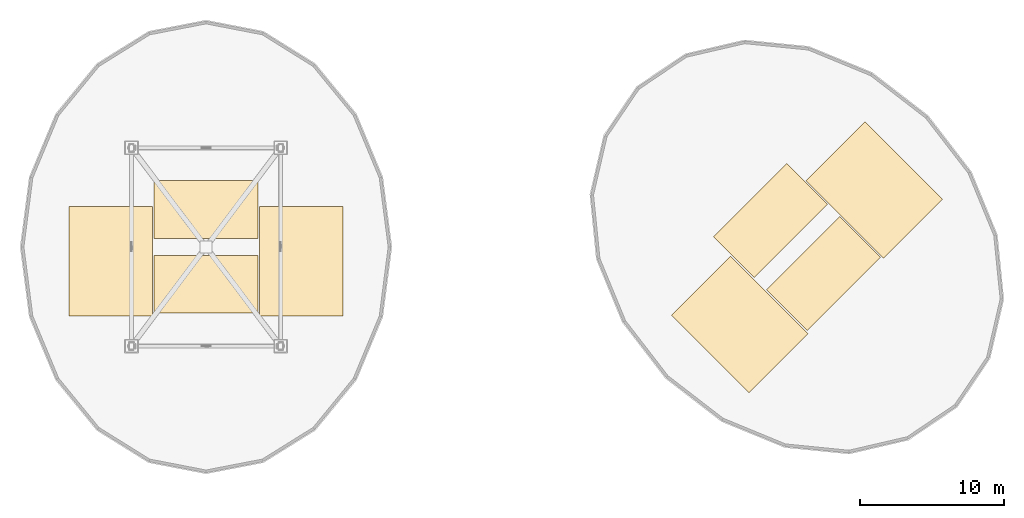
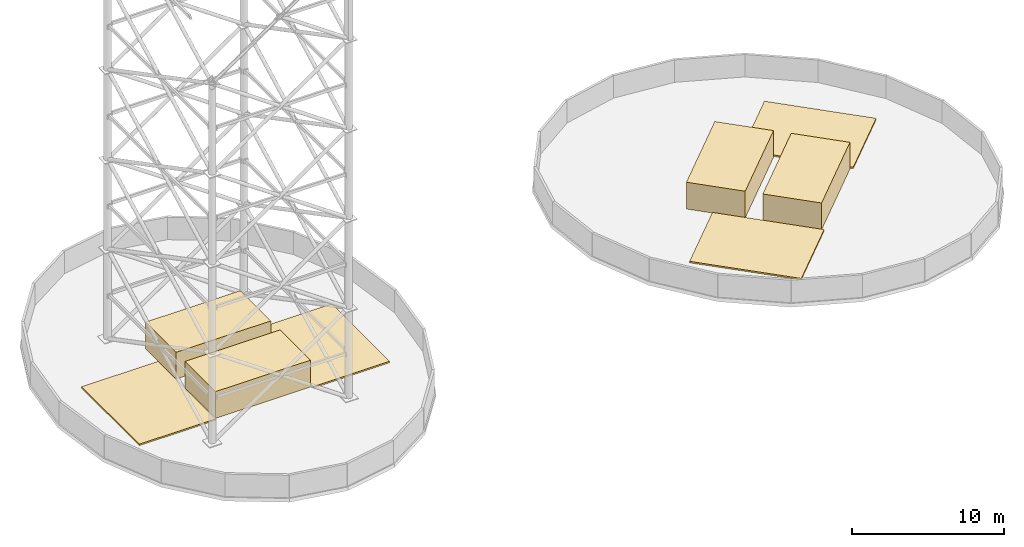
# One storey, part 7 of 7: 8 coverings.
"""IFC4 building model written with IfcOpenShell, lengths in metres."""

from ifc_helpers import new_model, si_unit, direction, frame, origin, place, context, subcontext, project, spatial, polyline, outline, extrude, material, layer, layer_set, type_object, element, save


model = new_model("IFC4")

# Units and contexts
model_context = context("Model", 3, precision=1e-05, world=origin(), true_north=direction((0.0, 1.0)))
body_context = subcontext(model_context, "Body", "Model", "MODEL_VIEW")
ifc_project = project(units=[si_unit("LENGTHUNIT", "METRE"), si_unit("AREAUNIT", "SQUARE_METRE"), si_unit("VOLUMEUNIT", "CUBIC_METRE"), si_unit("PLANEANGLEUNIT", "RADIAN"), si_unit("MASSUNIT", "GRAM", prefix="KILO")], contexts=[model_context])

# Site, building, storey
site_placement = place(None, origin())
site = spatial("IfcSite", under=ifc_project, at=site_placement, CompositionType="ELEMENT")
building_placement = place(site_placement, origin())
building = spatial("IfcBuilding", under=site, at=building_placement, Name="Cununo Teusaquillo Station Towers", CompositionType="ELEMENT")
storey_placement = place(building_placement, frame((0.0, 0.0, 244.830078125)))
storey = spatial("IfcBuildingStorey", under=building, at=storey_placement, Name="Roof Drum", CompositionType="ELEMENT", Elevation=244.830078125)

# Coverings
ifc_material_1 = material(Name="Anodised dark bronze aluminium EN AW-6063-T6", Category="aluminium")
covering_type_1 = type_object("IfcCoveringType", Name="COV-MECH-HOUSING", PredefinedType="CLADDING", material=ifc_material_1)
covering_1_placement = place(storey_placement, origin())
element("IfcCovering", 1, at=covering_1_placement, inside=storey, type_object=covering_type_1, Name="Roof Drum Tower A Dry Cooler & Chiller Mechanical Plant Housing", PredefinedType="CLADDING", context=body_context, shape_type="SweptSolid", body=[
    extrude(outline(polyline([(12.89990234375, 19.89990234375), (20.10009765625, 19.89990234375), (20.10009765625, 23.89990234375), (12.89990234375, 23.89990234375), (12.89990234375, 19.89990234375)])), origin(), (0.0, 0.0, 1.0), 2.14990234375),
])
covering_2_placement = place(storey_placement, origin())
element("IfcCovering", 2, at=covering_2_placement, inside=storey, type_object=covering_type_1, Name="Roof Drum Tower A Lift Overrun & Air Handling Mechanical Plant Housing", PredefinedType="CLADDING", context=body_context, shape_type="SweptSolid", body=[
    extrude(outline(polyline([(12.89990234375, 25.10009765625), (20.10009765625, 25.10009765625), (20.10009765625, 29.10009765625), (12.89990234375, 29.10009765625), (12.89990234375, 25.10009765625)])), origin(), (0.0, 0.0, 1.0), 2.14990234375),
])
covering_3_placement = place(storey_placement, origin())
element("IfcCovering", 3, at=covering_3_placement, inside=storey, type_object=covering_type_1, Name="Roof Drum Tower B Dry Cooler & Chiller Mechanical Plant Housing", PredefinedType="CLADDING", context=body_context, shape_type="SweptSolid", body=[
    extrude(outline(polyline([(58.20703125, 18.70166015625), (63.29833984375, 23.79296875), (60.4697265625, 26.621337890625), (55.378662109375, 21.5302734375), (58.20703125, 18.70166015625)])), origin(), (0.0, 0.0, 1.0), 2.14990234375),
])
covering_4_placement = place(storey_placement, origin())
element("IfcCovering", 4, at=covering_4_placement, inside=storey, type_object=covering_type_1, Name="Roof Drum Tower B Lift Overrun & Air Handling Mechanical Plant Housing", PredefinedType="CLADDING", context=body_context, shape_type="SweptSolid", body=[
    extrude(outline(polyline([(54.5302734375, 22.378662109375), (59.621337890625, 27.4697265625), (56.79296875, 30.29833984375), (51.70166015625, 25.20703125), (54.5302734375, 22.378662109375)])), origin(), (0.0, 0.0, 1.0), 2.14990234375),
])
ifc_material_2 = material(Name="Elastomeric waterproof membrane and rigid insulation", Category="finish")
ifc_layer = layer(ifc_material_2, 0.1201171875)
ifc_layer_set = layer_set([ifc_layer], Name="Elastomeric waterproof membrane and rigid insulation")
covering_type_2 = type_object("IfcCoveringType", Name="COV-ROOF-MEM", PredefinedType="ROOFING", material=ifc_layer_set)
covering_5_placement = place(storey_placement, origin())
element("IfcCovering", 5, at=covering_5_placement, inside=storey, type_object=covering_type_2, Name="Roof Drum Tower A Waterproof Membrane 1", PredefinedType="ROOFING", context=body_context, shape_type="SweptSolid", body=[
    extrude(outline(polyline([(7.0, 27.300048828125), (12.800048828125, 27.300048828125), (12.800048828125, 19.699951171875), (7.0, 19.699951171875), (7.0, 27.300048828125)])), origin(), (0.0, 0.0, 1.0), 0.119873046875),
])
covering_6_placement = place(storey_placement, origin())
element("IfcCovering", 6, at=covering_6_placement, inside=storey, type_object=covering_type_2, Name="Roof Drum Tower A Waterproof Membrane 2", PredefinedType="ROOFING", context=body_context, shape_type="SweptSolid", body=[
    extrude(outline(polyline([(20.199951171875, 27.300048828125), (26.0, 27.300048828125), (26.0, 19.699951171875), (20.199951171875, 19.699951171875), (20.199951171875, 27.300048828125)])), origin(), (0.0, 0.0, 1.0), 0.119873046875),
])
covering_7_placement = place(storey_placement, origin())
element("IfcCovering", 7, at=covering_7_placement, inside=storey, type_object=covering_type_2, Name="Roof Drum Tower B Waterproof Membrane 1", PredefinedType="ROOFING", context=body_context, shape_type="SweptSolid", body=[
    extrude(outline(polyline([(48.802490234375, 19.762451171875), (52.90380859375, 23.863525390625), (58.27783203125, 18.489501953125), (54.176513671875, 14.388427734375), (48.802490234375, 19.762451171875)])), origin(), (0.0, 0.0, 1.0), 0.119873046875),
])
covering_8_placement = place(storey_placement, origin())
element("IfcCovering", 8, at=covering_8_placement, inside=storey, type_object=covering_type_2, Name="Roof Drum Tower B Waterproof Membrane 2", PredefinedType="ROOFING", context=body_context, shape_type="SweptSolid", body=[
    extrude(outline(polyline([(58.136474609375, 29.09619140625), (62.237548828125, 33.197509765625), (67.611572265625, 27.823486328125), (63.510498046875, 23.72216796875), (58.136474609375, 29.09619140625)])), origin(), (0.0, 0.0, 1.0), 0.119873046875),
])

save(model, "model.ifc")
